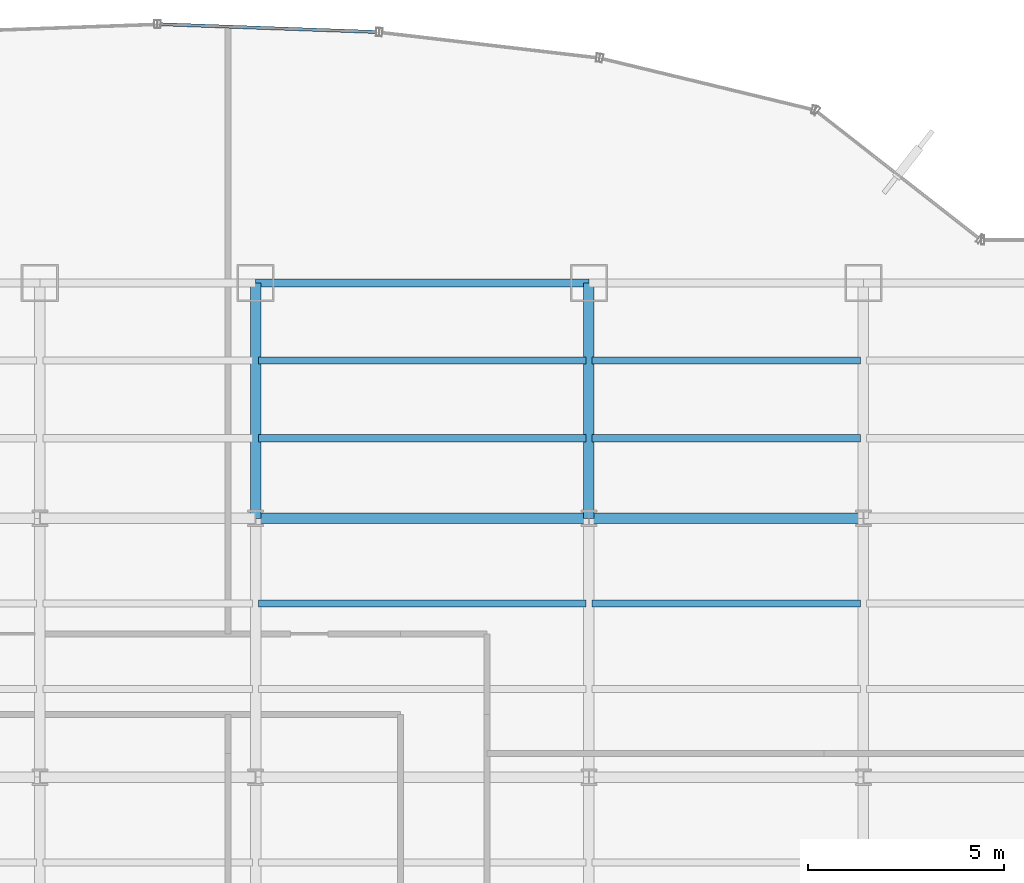
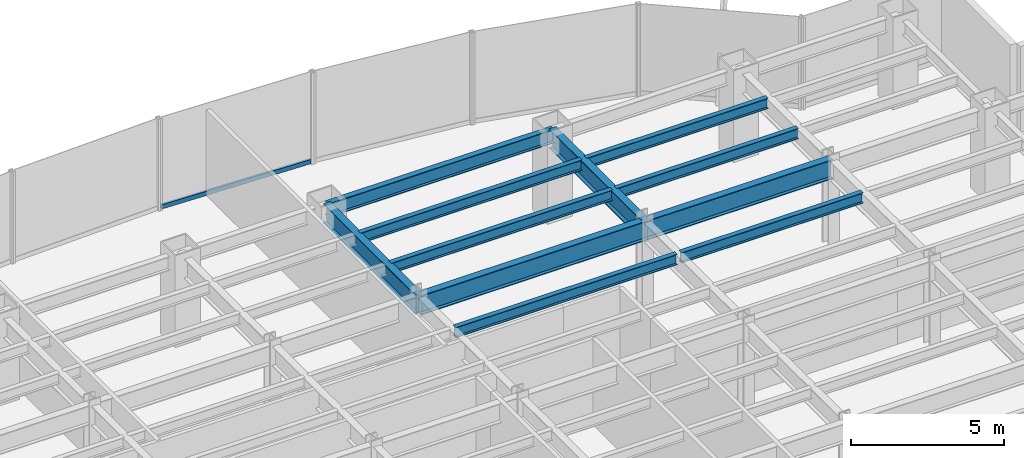
# One storey, part 14 of 23: 11 beams, 1 member, 1 element without a shape of its own.
"""IFC4 building model written with IfcOpenShell, lengths in metres."""

from ifc_helpers import new_model, si_unit, derived_unit, direction, frame, origin, origin_2d, place, context, subcontext, project, spatial, hollow_rectangle, i_section, extrude, source, transform, mapped, material, material_profile, profile_set, type_object, element, aggregate, save


model = new_model("IFC4")

# Units and contexts
model_context = context("Model", 3, precision=1e-05, world=origin(), true_north=direction((0.0, 1.0)))
body_context = subcontext(model_context, "Body", "Model", "MODEL_VIEW")
ifc_project = project(units=[si_unit("LENGTHUNIT", "METRE"), si_unit("AREAUNIT", "SQUARE_METRE"), si_unit("VOLUMEUNIT", "CUBIC_METRE"), si_unit("PLANEANGLEUNIT", "RADIAN"), si_unit("MASSUNIT", "GRAM", prefix="KILO"), derived_unit("THERMALTRANSMITTANCEUNIT", [(si_unit("POWERUNIT", "WATT"), 1), (si_unit("LENGTHUNIT", "METRE"), -2), (si_unit("THERMODYNAMICTEMPERATUREUNIT", "KELVIN"), -1)])], contexts=[model_context])

# Site, building, storey
site_placement = place(None, origin())
site = spatial("IfcSite", under=ifc_project, at=site_placement, CompositionType="ELEMENT")
building_placement = place(site_placement, origin())
building = spatial("IfcBuilding", under=site, at=building_placement, Name="Skarnbrae Concourse Arena and Tower", CompositionType="ELEMENT")
storey_placement = place(building_placement, frame((0.0, 0.0, 54.39990234375)))
storey = spatial("IfcBuildingStorey", under=building, at=storey_placement, Name="L12", CompositionType="ELEMENT", Elevation=54.39990234375)

# Beams
ifc_material_1 = material(Name="Steel CSA G40.21 350W", Category="steel")
ifc_material_profile_1 = material_profile(ifc_material_1, i_section(OverallWidth=0.26806640625, OverallDepth=0.77001953125, WebThickness=0.015625, FlangeThickness=0.025390625, at=origin_2d()), Name="W760X196")
ifc_profile_set_1 = profile_set([ifc_material_profile_1], Name="Steel CSA G40.21 350W")
beam_type_1 = type_object("IfcBeamType", Name="BM-GIRD-W760X196", PredefinedType="BEAM", material=ifc_profile_set_1)
shared_shape_1 = source(origin(), body_context, "Body", "SweptSolid", [
    extrude(i_section(OverallWidth=0.26806640625, OverallDepth=0.77001953125, WebThickness=0.015625, FlangeThickness=0.025390625, at=origin_2d()), origin(), (0.0, 0.0, 1.0), 7.0),
])
beam_1_placement = place(storey_placement, frame((42.0, 34.39990234375, 3.01513671875), z_axis=(1.0, 0.0, 0.0), x_axis=(0.0, 1.0, 0.0)))
element("IfcBeam", 1, at=beam_1_placement, inside=storey, type_object=beam_type_1, Name="L12 Primary E-W girder Y34.4-7", PredefinedType="BEAM", context=body_context, shape_type="MappedRepresentation", body=[
    mapped(shared_shape_1, transform((0.0, 0.0, 0.0))),
])
shared_shape_2 = source(origin(), body_context, "Body", "SweptSolid", [
    extrude(i_section(OverallWidth=0.26806640625, OverallDepth=0.77001953125, WebThickness=0.015625, FlangeThickness=0.025390625, at=origin_2d()), origin(), (0.0, 0.0, 1.0), 8.5),
])
beam_2_placement = place(storey_placement, frame((33.5, 34.39990234375, 3.01513671875), z_axis=(1.0, 0.0, 0.0), x_axis=(0.0, 1.0, 0.0)))
element("IfcBeam", 2, at=beam_2_placement, inside=storey, type_object=beam_type_1, Name="L12 Primary E-W girder Y34.4-6", PredefinedType="BEAM", context=body_context, shape_type="MappedRepresentation", body=[
    mapped(shared_shape_2, transform((0.0, 0.0, 0.0))),
])
shared_shape_3 = source(origin(), body_context, "Body", "SweptSolid", [
    extrude(i_section(OverallWidth=0.26806640625, OverallDepth=0.77001953125, WebThickness=0.015625, FlangeThickness=0.025390625, at=origin_2d()), origin(), (0.0, 0.0, 1.0), 6.0),
])
for number, where, z_axis, x_axis, name in (
    (3, (33.5, 34.39990234375, 3.01513671875), (0.0, 1.0, 0.0), (-1.0, 0.0, 0.0), "L12 Primary N-S girder X33.5-4"),
    (4, (42.0, 34.39990234375, 3.01513671875), (0.0, 1.0, 0.0), (-1.0, 0.0, 0.0), "L12 Primary N-S girder X42.0-5"),
):
    element("IfcBeam", number, at=place(storey_placement, frame(where, z_axis=z_axis, x_axis=x_axis)), inside=storey, type_object=beam_type_1, Name=name, PredefinedType="BEAM", context=body_context, shape_type="MappedRepresentation", body=[
        mapped(shared_shape_3, transform((0.0, 0.0, 0.0))),
    ])
ifc_material_profile_2 = material_profile(ifc_material_1, i_section(OverallWidth=0.214111328125, OverallDepth=0.549072265625, WebThickness=0.0146484375, FlangeThickness=0.023681640625, at=origin_2d()), Name="W530X138")
ifc_profile_set_2 = profile_set([ifc_material_profile_2], Name="Steel CSA G40.21 350W")
beam_type_2 = type_object("IfcBeamType", Name="BM-SPAN-W530X138", PredefinedType="SPANDREL", material=ifc_profile_set_2)
shared_shape_4 = source(origin(), body_context, "Body", "SweptSolid", [
    extrude(i_section(OverallWidth=0.214111328125, OverallDepth=0.549072265625, WebThickness=0.0146484375, FlangeThickness=0.023681640625, at=origin_2d()), origin(), (0.0, 0.0, 1.0), 8.5),
])
beam_3_placement = place(storey_placement, frame((33.5, 40.39990234375, 3.12548828125), z_axis=(1.0, 0.0, 0.0), x_axis=(0.0, 1.0, 0.0)))
element("IfcBeam", 5, at=beam_3_placement, inside=storey, type_object=beam_type_2, Name="L12 Perimeter spandrel Y40.4-5", PredefinedType="SPANDREL", context=body_context, shape_type="MappedRepresentation", body=[
    mapped(shared_shape_4, transform((0.0, 0.0, 0.0))),
])
ifc_material_profile_3 = material_profile(ifc_material_1, i_section(OverallWidth=0.180908203125, OverallDepth=0.4169921875, WebThickness=0.010986328125, FlangeThickness=0.018310546875, at=origin_2d()), Name="W410X85")
ifc_profile_set_3 = profile_set([ifc_material_profile_3], Name="Steel CSA G40.21 350W")
beam_type_3 = type_object("IfcBeamType", Name="BM-JOIST-W410X85", PredefinedType="JOIST", material=ifc_profile_set_3)
shared_shape_5 = source(origin(), body_context, "Body", "SweptSolid", [
    extrude(i_section(OverallWidth=0.180908203125, OverallDepth=0.4169921875, WebThickness=0.010986328125, FlangeThickness=0.018310546875, at=origin_2d()), origin(), (0.0, 0.0, 1.0), 8.33984375),
])
for number, where, z_axis, x_axis, name in (
    (6, (33.580078125, 32.221923828125, 3.191650390625), (1.0, 0.0, 0.0), (0.0, 1.0, 0.0), "L12 Secondary floor joist 3.2.6"),
    (7, (33.580078125, 36.43994140625, 3.191650390625), (1.0, 0.0, 0.0), (0.0, 1.0, 0.0), "L12 Secondary floor joist 4.1.5"),
    (8, (33.580078125, 38.419921875, 3.191650390625), (1.0, 0.0, 0.0), (0.0, 1.0, 0.0), "L12 Secondary floor joist 4.2.5"),
):
    element("IfcBeam", number, at=place(storey_placement, frame(where, z_axis=z_axis, x_axis=x_axis)), inside=storey, type_object=beam_type_3, Name=name, PredefinedType="JOIST", context=body_context, shape_type="MappedRepresentation", body=[
        mapped(shared_shape_5, transform((0.0, 0.0, 0.0))),
    ])
shared_shape_6 = source(origin(), body_context, "Body", "SweptSolid", [
    extrude(i_section(OverallWidth=0.180908203125, OverallDepth=0.4169921875, WebThickness=0.010986328125, FlangeThickness=0.018310546875, at=origin_2d()), origin(), (0.0, 0.0, 1.0), 6.83984375),
])
for number, where, z_axis, x_axis, name in (
    (9, (42.080078125, 32.221923828125, 3.191650390625), (1.0, 0.0, 0.0), (0.0, 1.0, 0.0), "L12 Secondary floor joist 3.2.7"),
    (10, (42.080078125, 36.43994140625, 3.191650390625), (1.0, 0.0, 0.0), (0.0, 1.0, 0.0), "L12 Secondary floor joist 4.1.6"),
    (11, (42.080078125, 38.419921875, 3.191650390625), (1.0, 0.0, 0.0), (0.0, 1.0, 0.0), "L12 Secondary floor joist 4.2.6"),
):
    element("IfcBeam", number, at=place(storey_placement, frame(where, z_axis=z_axis, x_axis=x_axis)), inside=storey, type_object=beam_type_3, Name=name, PredefinedType="JOIST", context=body_context, shape_type="MappedRepresentation", body=[
        mapped(shared_shape_6, transform((0.0, 0.0, 0.0))),
    ])

# Curtain wall, member
ifc_material_2 = material(Name="Bronze anodised aluminium 6063-T6", Category="aluminium")
curtain_wall_type = type_object("IfcCurtainWallType", Name="CW-SYS-03-PORTAL", PredefinedType="USERDEFINED", material=ifc_material_2)
curtain_wall_placement = place(storey_placement, origin())
curtain_wall = element("IfcCurtainWall", 12, at=curtain_wall_placement, inside=storey, type_object=curtain_wall_type, Name="L12 Unitised curtain wall CW-L12-E11", ObjectType="UNITISED CURTAIN WALL", PredefinedType="USERDEFINED")
ifc_material_profile_4 = material_profile(ifc_material_2, hollow_rectangle(XDim=0.080078125, YDim=0.169921875, WallThickness=0.00439453125, at=origin_2d()), Name="ALU-TRAN-80X170")
ifc_profile_set_4 = profile_set([ifc_material_profile_4], Name="Bronze anodised aluminium 6063-T6")
member_type = type_object("IfcMemberType", Name="CWT-CW-03", PredefinedType="USERDEFINED", material=ifc_profile_set_4)
shared_shape_7 = source(origin(), body_context, "Body", "SweptSolid", [
    extrude(hollow_rectangle(XDim=0.080078125, YDim=0.169921875, WallThickness=0.00439453125, at=origin_2d()), origin(), (0.0, 0.0, 1.0), 5.497802734375),
])
member_placement = place(storey_placement, frame((36.573974609375, 46.7998046875, 0.085205078125), z_axis=(-0.999356047798, 0.03588160712, 0.0), x_axis=(-0.03588160712, -0.999356047798, 0.0)))
member = element("IfcMember", 13, at=member_placement, type_object=member_type, Name="CW-L12-E11 Transom 1", ObjectType="TRANSOM", PredefinedType="USERDEFINED", context=body_context, shape_type="MappedRepresentation", body=[
    mapped(shared_shape_7, transform((0.0, 0.0, 0.0))),
])
aggregate(curtain_wall, [member])

save(model, "model.ifc")
